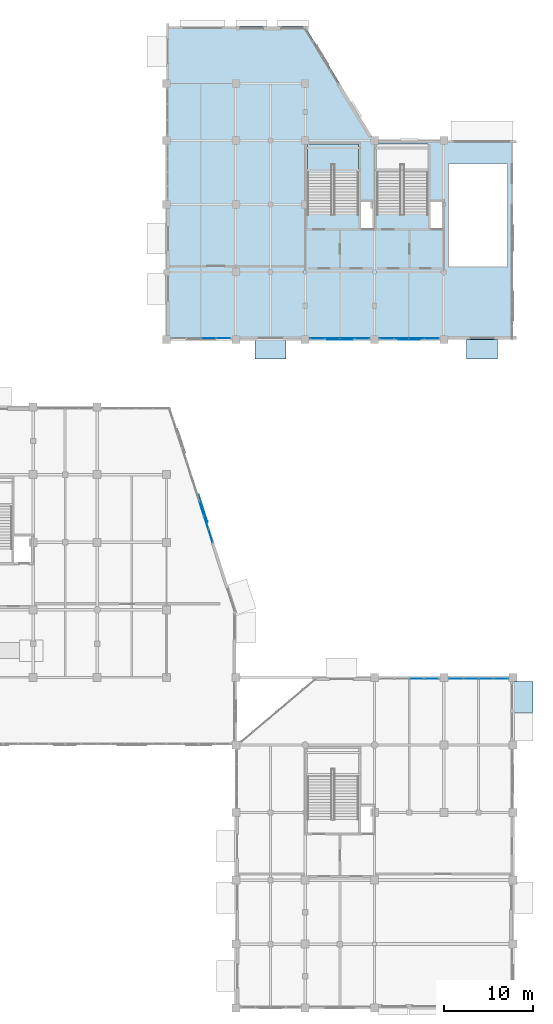
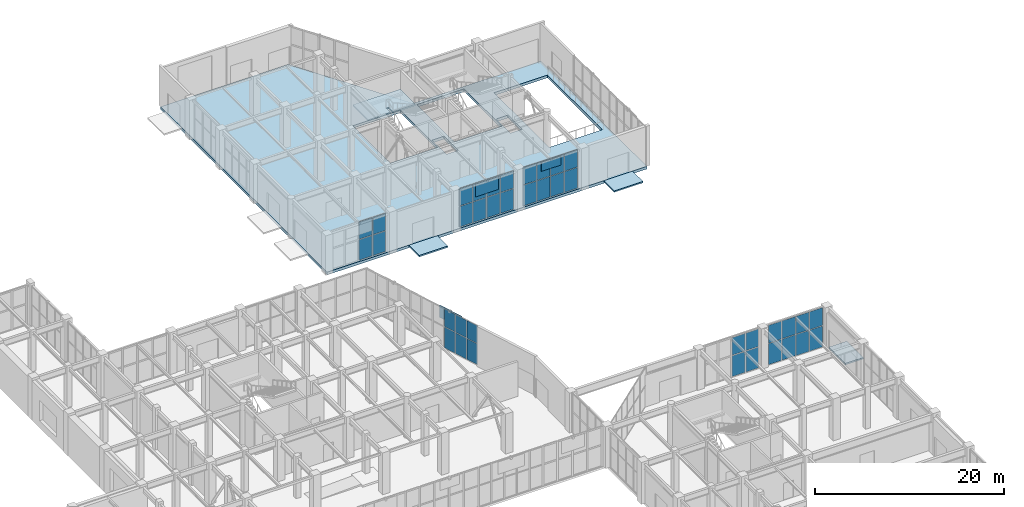
# One storey, part 112 of 139: 41 plates, 5 slabs, 7 elements without a shape of their own.
"""IFC4 building model written with IfcOpenShell, lengths in metres."""

from ifc_helpers import new_model, si_unit, direction, frame, origin, origin_2d, place, context, subcontext, project, spatial, polyline, rectangle, outline, extrude, material, layer, layer_set, type_object, element, aggregate, save


model = new_model("IFC4")

# Units and contexts
model_context = context("Model", 3, precision=1e-05, world=origin(), true_north=direction((0.0, 1.0)))
body_context = subcontext(model_context, "Body", "Model", "MODEL_VIEW")
ifc_project = project(units=[si_unit("LENGTHUNIT", "METRE"), si_unit("AREAUNIT", "SQUARE_METRE"), si_unit("VOLUMEUNIT", "CUBIC_METRE"), si_unit("PLANEANGLEUNIT", "RADIAN"), si_unit("MASSUNIT", "GRAM", prefix="KILO")], contexts=[model_context])

# Site, building, storey
site_placement = place(None, origin())
site = spatial("IfcSite", under=ifc_project, at=site_placement, CompositionType="ELEMENT")
building_placement = place(site_placement, origin())
building = spatial("IfcBuilding", under=site, at=building_placement, Name="Xicomal Pleat Aquarium", CompositionType="ELEMENT")
storey_placement = place(building_placement, origin())
storey = spatial("IfcBuildingStorey", under=building, at=storey_placement, Name="L01", CompositionType="ELEMENT", Elevation=0.0)

# Curtain wall, plates
ifc_material_1 = material(Name="Bronze anodized aluminium 6063-T6", Category="aluminium")
ifc_layer_1 = layer(ifc_material_1, 0.159912109375)
ifc_layer_set_1 = layer_set([ifc_layer_1], Name="Bronze anodized aluminium 6063-T6")
curtain_wall_type_1 = type_object("IfcCurtainWallType", Name="CW-SYS-11", PredefinedType="NOTDEFINED", material=ifc_layer_set_1)
curtain_wall_1_placement = place(storey_placement, origin())
curtain_wall_1 = element("IfcCurtainWall", 1, at=curtain_wall_1_placement, inside=storey, type_object=curtain_wall_type_1, Name="L01 unitised curtain wall CW-L01-056", PredefinedType="NOTDEFINED")
ifc_material_2 = material(Name="Insulated low-E laminated glass", Category="glass")
ifc_layer_2 = layer(ifc_material_2, 0.028076171875)
ifc_layer_set_2 = layer_set([ifc_layer_2], Name="Insulated low-E laminated glass")
plate_type_1 = type_object("IfcPlateType", Name="CWP-GLZ-28", PredefinedType="CURTAIN_PANEL", material=ifc_layer_set_2)
plate_1_placement = place(storey_placement, frame((154.14501953125, 37.860107421875, 0.0849609375), z_axis=(0.0, 0.0, 1.0), x_axis=(1.0, 0.0, 0.0)))
plate_1 = element("IfcPlate", 2, at=plate_1_placement, type_object=plate_type_1, Name="CW-11 panel 3.1", PredefinedType="CURTAIN_PANEL", context=body_context, shape_type="SweptSolid", body=[
    extrude(rectangle(XDim=1.60498046875, YDim=0.028076171875, at=origin_2d()), origin(), (0.0, 0.0, 1.0), 2.680419921875),
])
plate_2_placement = place(storey_placement, frame((154.14501953125, 37.860107421875, 2.8505859375), z_axis=(0.0, 0.0, 1.0), x_axis=(1.0, 0.0, 0.0)))
plate_2 = element("IfcPlate", 3, at=plate_2_placement, type_object=plate_type_1, Name="CW-11 panel 3.2", PredefinedType="CURTAIN_PANEL", context=body_context, shape_type="SweptSolid", body=[
    extrude(rectangle(XDim=1.60498046875, YDim=0.028076171875, at=origin_2d()), origin(), (0.0, 0.0, 1.0), 2.264404296875),
])
plate_3_placement = place(storey_placement, frame((155.813720703125, 37.860107421875, 0.0849609375), z_axis=(0.0, 0.0, 1.0), x_axis=(1.0, 0.0, 0.0)))
plate_3 = element("IfcPlate", 4, at=plate_3_placement, type_object=plate_type_1, Name="CW-11 panel 4.1", PredefinedType="CURTAIN_PANEL", context=body_context, shape_type="SweptSolid", body=[
    extrude(rectangle(XDim=1.5625, YDim=0.028076171875, at=origin_2d()), origin(), (0.0, 0.0, 1.0), 2.680419921875),
])
plate_4_placement = place(storey_placement, frame((155.813720703125, 37.860107421875, 2.8505859375), z_axis=(0.0, 0.0, 1.0), x_axis=(1.0, 0.0, 0.0)))
plate_4 = element("IfcPlate", 5, at=plate_4_placement, type_object=plate_type_1, Name="CW-11 panel 4.2", PredefinedType="CURTAIN_PANEL", context=body_context, shape_type="SweptSolid", body=[
    extrude(rectangle(XDim=1.5625, YDim=0.028076171875, at=origin_2d()), origin(), (0.0, 0.0, 1.0), 2.264404296875),
])
aggregate(curtain_wall_1, [plate_1, plate_2, plate_3, plate_4])

curtain_wall_2_placement = place(storey_placement, origin())
curtain_wall_2 = element("IfcCurtainWall", 6, at=curtain_wall_2_placement, inside=storey, type_object=curtain_wall_type_1, Name="L01 unitised curtain wall CW-L01-068", PredefinedType="NOTDEFINED")
plate_5_placement = place(storey_placement, frame((132.413818359375, 76.139892578125, 0.0849609375), z_axis=(0.0, 0.0, 1.0), x_axis=(-1.0, 0.0, 0.0)))
plate_5 = element("IfcPlate", 7, at=plate_5_placement, type_object=plate_type_1, Name="CW-11 panel 1.1", PredefinedType="CURTAIN_PANEL", context=body_context, shape_type="SweptSolid", body=[
    extrude(rectangle(XDim=1.5625, YDim=0.028076171875, at=origin_2d()), origin(), (0.0, 0.0, 1.0), 2.62646484375),
])
plate_6_placement = place(storey_placement, frame((132.413818359375, 76.139892578125, 2.79638671875), z_axis=(0.0, 0.0, 1.0), x_axis=(-1.0, 0.0, 0.0)))
plate_6 = element("IfcPlate", 8, at=plate_6_placement, type_object=plate_type_1, Name="CW-11 panel 1.2", PredefinedType="CURTAIN_PANEL", context=body_context, shape_type="SweptSolid", body=[
    extrude(rectangle(XDim=1.5625, YDim=0.028076171875, at=origin_2d()), origin(), (0.0, 0.0, 1.0), 2.218505859375),
])
plate_7_placement = place(storey_placement, frame((130.7451171875, 76.139892578125, 0.0849609375), z_axis=(0.0, 0.0, 1.0), x_axis=(-1.0, 0.0, 0.0)))
plate_7 = element("IfcPlate", 9, at=plate_7_placement, type_object=plate_type_1, Name="CW-11 panel 2.1", PredefinedType="CURTAIN_PANEL", context=body_context, shape_type="SweptSolid", body=[
    extrude(rectangle(XDim=1.60498046875, YDim=0.028076171875, at=origin_2d()), origin(), (0.0, 0.0, 1.0), 2.62646484375),
])
plate_8_placement = place(storey_placement, frame((130.7451171875, 76.139892578125, 2.79638671875), z_axis=(0.0, 0.0, 1.0), x_axis=(-1.0, 0.0, 0.0)))
plate_8 = element("IfcPlate", 10, at=plate_8_placement, type_object=plate_type_1, Name="CW-11 panel 2.2", PredefinedType="CURTAIN_PANEL", context=body_context, shape_type="SweptSolid", body=[
    extrude(rectangle(XDim=1.60498046875, YDim=0.028076171875, at=origin_2d()), origin(), (0.0, 0.0, 1.0), 2.218505859375),
])
aggregate(curtain_wall_2, [plate_5, plate_6, plate_7, plate_8])

ifc_material_3 = material(Name="Bronze anodized aluminium 6063-T6", Category="aluminium")
ifc_layer_3 = layer(ifc_material_3, 0.159912109375)
ifc_layer_set_3 = layer_set([ifc_layer_3], Name="Bronze anodized aluminium 6063-T6")
curtain_wall_type_2 = type_object("IfcCurtainWallType", Name="CW-SYS-01", PredefinedType="NOTDEFINED", material=ifc_layer_set_3)
curtain_wall_3_placement = place(storey_placement, origin())
curtain_wall_3 = element("IfcCurtainWall", 11, at=curtain_wall_3_placement, inside=storey, type_object=curtain_wall_type_2, Name="L01 unitised curtain wall CW-L01-045", PredefinedType="NOTDEFINED")
ifc_material_4 = material(Name="Insulated low-E laminated glass", Category="glass")
ifc_layer_4 = layer(ifc_material_4, 0.031982421875)
ifc_layer_set_4 = layer_set([ifc_layer_4], Name="Insulated low-E laminated glass")
plate_type_2 = type_object("IfcPlateType", Name="CWP-GLZ-32", PredefinedType="CURTAIN_PANEL", material=ifc_layer_set_4)
plate_9_placement = place(storey_placement, frame((129.967041015625, 56.95703125, 0.06494140625), z_axis=(0.0, 0.0, 1.0), x_axis=(0.308633242147, -0.951181119368, 0.0)))
plate_9 = element("IfcPlate", 12, at=plate_9_placement, type_object=plate_type_2, Name="CW-01 panel 3.1", PredefinedType="CURTAIN_PANEL", context=body_context, shape_type="SweptSolid", body=[
    extrude(rectangle(XDim=1.532958984375, YDim=0.031982421875, at=origin_2d()), origin(), (0.0, 0.0, 1.0), 2.6884765625),
])
plate_10_placement = place(storey_placement, frame((129.967041015625, 56.95703125, 2.818359375), z_axis=(0.0, 0.0, 1.0), x_axis=(0.308633242147, -0.951181119368, 0.0)))
plate_10 = element("IfcPlate", 13, at=plate_10_placement, type_object=plate_type_2, Name="CW-01 panel 3.2", PredefinedType="CURTAIN_PANEL", context=body_context, shape_type="SweptSolid", body=[
    extrude(rectangle(XDim=1.532958984375, YDim=0.031982421875, at=origin_2d()), origin(), (0.0, 0.0, 1.0), 2.276611328125),
])
plate_11_placement = place(storey_placement, frame((130.460205078125, 55.43701171875, 0.06494140625), z_axis=(0.0, 0.0, 1.0), x_axis=(0.308633242147, -0.951181119368, 0.0)))
plate_11 = element("IfcPlate", 14, at=plate_11_placement, type_object=plate_type_2, Name="CW-01 panel 4.1", PredefinedType="CURTAIN_PANEL", context=body_context, shape_type="SweptSolid", body=[
    extrude(rectangle(XDim=1.532958984375, YDim=0.031982421875, at=origin_2d()), origin(), (0.0, 0.0, 1.0), 2.6884765625),
])
plate_12_placement = place(storey_placement, frame((130.460205078125, 55.43701171875, 2.818359375), z_axis=(0.0, 0.0, 1.0), x_axis=(0.308633242147, -0.951181119368, 0.0)))
plate_12 = element("IfcPlate", 15, at=plate_12_placement, type_object=plate_type_2, Name="CW-01 panel 4.2", PredefinedType="CURTAIN_PANEL", context=body_context, shape_type="SweptSolid", body=[
    extrude(rectangle(XDim=1.532958984375, YDim=0.031982421875, at=origin_2d()), origin(), (0.0, 0.0, 1.0), 2.276611328125),
])
plate_13_placement = place(storey_placement, frame((130.948486328125, 53.9326171875, 0.06494140625), z_axis=(0.0, 0.0, 1.0), x_axis=(0.308633242147, -0.951181119368, 0.0)))
plate_13 = element("IfcPlate", 16, at=plate_13_placement, type_object=plate_type_2, Name="CW-01 panel 5.1", PredefinedType="CURTAIN_PANEL", context=body_context, shape_type="SweptSolid", body=[
    extrude(rectangle(XDim=1.50048828125, YDim=0.031982421875, at=origin_2d()), origin(), (0.0, 0.0, 1.0), 2.6884765625),
])
plate_14_placement = place(storey_placement, frame((130.948486328125, 53.9326171875, 2.818359375), z_axis=(0.0, 0.0, 1.0), x_axis=(0.308633242147, -0.951181119368, 0.0)))
plate_14 = element("IfcPlate", 17, at=plate_14_placement, type_object=plate_type_2, Name="CW-01 panel 5.2", PredefinedType="CURTAIN_PANEL", context=body_context, shape_type="SweptSolid", body=[
    extrude(rectangle(XDim=1.50048828125, YDim=0.031982421875, at=origin_2d()), origin(), (0.0, 0.0, 1.0), 2.276611328125),
])
aggregate(curtain_wall_3, [plate_9, plate_10, plate_11, plate_12, plate_13, plate_14])

curtain_wall_4_placement = place(storey_placement, origin())
curtain_wall_4 = element("IfcCurtainWall", 18, at=curtain_wall_4_placement, inside=storey, type_object=curtain_wall_type_2, Name="L01 unitised curtain wall CW-L01-057", PredefinedType="NOTDEFINED")
plate_15_placement = place(storey_placement, frame((158.581298828125, 37.860107421875, 0.06494140625), z_axis=(0.0, 0.0, 1.0), x_axis=(1.0, 0.0, 0.0)))
plate_15 = element("IfcPlate", 19, at=plate_15_placement, type_object=plate_type_2, Name="CW-01 panel 1.1", PredefinedType="CURTAIN_PANEL", context=body_context, shape_type="SweptSolid", body=[
    extrude(rectangle(XDim=1.592529296875, YDim=0.031982421875, at=origin_2d()), origin(), (0.0, 0.0, 1.0), 2.71044921875),
])
plate_16_placement = place(storey_placement, frame((158.581298828125, 37.860107421875, 2.840576171875), z_axis=(0.0, 0.0, 1.0), x_axis=(1.0, 0.0, 0.0)))
plate_16 = element("IfcPlate", 20, at=plate_16_placement, type_object=plate_type_2, Name="CW-01 panel 1.2", PredefinedType="CURTAIN_PANEL", context=body_context, shape_type="SweptSolid", body=[
    extrude(rectangle(XDim=1.592529296875, YDim=0.031982421875, at=origin_2d()), origin(), (0.0, 0.0, 1.0), 2.29443359375),
])
plate_17_placement = place(storey_placement, frame((160.2548828125, 37.860107421875, 0.06494140625), z_axis=(0.0, 0.0, 1.0), x_axis=(1.0, 0.0, 0.0)))
plate_17 = element("IfcPlate", 21, at=plate_17_placement, type_object=plate_type_2, Name="CW-01 panel 2.1", PredefinedType="CURTAIN_PANEL", context=body_context, shape_type="SweptSolid", body=[
    extrude(rectangle(XDim=1.625, YDim=0.031982421875, at=origin_2d()), origin(), (0.0, 0.0, 1.0), 2.71044921875),
])
plate_18_placement = place(storey_placement, frame((160.2548828125, 37.860107421875, 2.840576171875), z_axis=(0.0, 0.0, 1.0), x_axis=(1.0, 0.0, 0.0)))
plate_18 = element("IfcPlate", 22, at=plate_18_placement, type_object=plate_type_2, Name="CW-01 panel 2.2", PredefinedType="CURTAIN_PANEL", context=body_context, shape_type="SweptSolid", body=[
    extrude(rectangle(XDim=1.625, YDim=0.031982421875, at=origin_2d()), origin(), (0.0, 0.0, 1.0), 2.29443359375),
])
plate_19_placement = place(storey_placement, frame((161.945068359375, 37.860107421875, 0.06494140625), z_axis=(0.0, 0.0, 1.0), x_axis=(1.0, 0.0, 0.0)))
plate_19 = element("IfcPlate", 23, at=plate_19_placement, type_object=plate_type_2, Name="CW-01 panel 3.1", PredefinedType="CURTAIN_PANEL", context=body_context, shape_type="SweptSolid", body=[
    extrude(rectangle(XDim=1.625, YDim=0.031982421875, at=origin_2d()), origin(), (0.0, 0.0, 1.0), 2.71044921875),
])
plate_20_placement = place(storey_placement, frame((161.945068359375, 37.860107421875, 2.840576171875), z_axis=(0.0, 0.0, 1.0), x_axis=(1.0, 0.0, 0.0)))
plate_20 = element("IfcPlate", 24, at=plate_20_placement, type_object=plate_type_2, Name="CW-01 panel 3.2", PredefinedType="CURTAIN_PANEL", context=body_context, shape_type="SweptSolid", body=[
    extrude(rectangle(XDim=1.625, YDim=0.031982421875, at=origin_2d()), origin(), (0.0, 0.0, 1.0), 2.29443359375),
])
plate_21_placement = place(storey_placement, frame((163.61865234375, 37.860107421875, 0.06494140625), z_axis=(0.0, 0.0, 1.0), x_axis=(1.0, 0.0, 0.0)))
plate_21 = element("IfcPlate", 25, at=plate_21_placement, type_object=plate_type_2, Name="CW-01 panel 4.1", PredefinedType="CURTAIN_PANEL", context=body_context, shape_type="SweptSolid", body=[
    extrude(rectangle(XDim=1.592529296875, YDim=0.031982421875, at=origin_2d()), origin(), (0.0, 0.0, 1.0), 2.71044921875),
])
plate_22_placement = place(storey_placement, frame((163.61865234375, 37.860107421875, 2.840576171875), z_axis=(0.0, 0.0, 1.0), x_axis=(1.0, 0.0, 0.0)))
plate_22 = element("IfcPlate", 26, at=plate_22_placement, type_object=plate_type_2, Name="CW-01 panel 4.2", PredefinedType="CURTAIN_PANEL", context=body_context, shape_type="SweptSolid", body=[
    extrude(rectangle(XDim=1.592529296875, YDim=0.031982421875, at=origin_2d()), origin(), (0.0, 0.0, 1.0), 2.29443359375),
])
aggregate(curtain_wall_4, [plate_15, plate_16, plate_17, plate_18, plate_19, plate_20, plate_21, plate_22])

curtain_wall_5_placement = place(storey_placement, origin())
curtain_wall_5 = element("IfcCurtainWall", 27, at=curtain_wall_5_placement, inside=storey, type_object=curtain_wall_type_2, Name="L01 unitised curtain wall CW-L01-066", PredefinedType="NOTDEFINED")
ifc_material_5 = material(Name="Insulated low-E laminated glass", Category="glass")
ifc_layer_5 = layer(ifc_material_5, 0.035888671875)
ifc_layer_set_5 = layer_set([ifc_layer_5], Name="Insulated low-E laminated glass")
plate_type_3 = type_object("IfcPlateType", Name="CWP-GLZ-36", PredefinedType="CURTAIN_PANEL", material=ifc_layer_set_5)
plate_23_placement = place(storey_placement, frame((155.818603515625, 76.139892578125, 0.06494140625), z_axis=(0.0, 0.0, 1.0), x_axis=(-1.0, 0.0, 0.0)))
plate_23 = element("IfcPlate", 28, at=plate_23_placement, type_object=plate_type_3, Name="CW-01 panel 1.1", PredefinedType="CURTAIN_PANEL", context=body_context, shape_type="SweptSolid", body=[
    extrude(rectangle(XDim=1.592529296875, YDim=0.035888671875, at=origin_2d()), origin(), (0.0, 0.0, 1.0), 2.656494140625),
])
plate_24_placement = place(storey_placement, frame((155.818603515625, 76.139892578125, 2.78662109375), z_axis=(0.0, 0.0, 1.0), x_axis=(-1.0, 0.0, 0.0)))
plate_24 = element("IfcPlate", 29, at=plate_24_placement, type_object=plate_type_3, Name="CW-01 panel 1.2", PredefinedType="CURTAIN_PANEL", context=body_context, shape_type="SweptSolid", body=[
    extrude(rectangle(XDim=1.592529296875, YDim=0.035888671875, at=origin_2d()), origin(), (0.0, 0.0, 1.0), 2.24853515625),
])
plate_25_placement = place(storey_placement, frame((154.14501953125, 76.139892578125, 0.06494140625), z_axis=(0.0, 0.0, 1.0), x_axis=(-1.0, 0.0, 0.0)))
plate_25 = element("IfcPlate", 30, at=plate_25_placement, type_object=plate_type_3, Name="CW-01 panel 2.1", PredefinedType="CURTAIN_PANEL", context=body_context, shape_type="SweptSolid", body=[
    extrude(rectangle(XDim=1.625, YDim=0.035888671875, at=origin_2d()), origin(), (0.0, 0.0, 1.0), 2.656494140625),
])
plate_26_placement = place(storey_placement, frame((154.14501953125, 76.139892578125, 2.78662109375), z_axis=(0.0, 0.0, 1.0), x_axis=(-1.0, 0.0, 0.0)))
plate_26 = element("IfcPlate", 31, at=plate_26_placement, type_object=plate_type_3, Name="CW-01 panel 2.2", PredefinedType="CURTAIN_PANEL", context=body_context, shape_type="SweptSolid", body=[
    extrude(rectangle(XDim=1.625, YDim=0.035888671875, at=origin_2d()), origin(), (0.0, 0.0, 1.0), 2.24853515625),
])
plate_27_placement = place(storey_placement, frame((152.455078125, 76.139892578125, 0.06494140625), z_axis=(0.0, 0.0, 1.0), x_axis=(-1.0, 0.0, 0.0)))
plate_27 = element("IfcPlate", 32, at=plate_27_placement, type_object=plate_type_3, Name="CW-01 panel 3.1", PredefinedType="CURTAIN_PANEL", context=body_context, shape_type="SweptSolid", body=[
    extrude(rectangle(XDim=1.625, YDim=0.035888671875, at=origin_2d()), origin(), (0.0, 0.0, 1.0), 2.656494140625),
])
plate_28_placement = place(storey_placement, frame((152.455078125, 76.139892578125, 2.78662109375), z_axis=(0.0, 0.0, 1.0), x_axis=(-1.0, 0.0, 0.0)))
plate_28 = element("IfcPlate", 33, at=plate_28_placement, type_object=plate_type_3, Name="CW-01 panel 3.2", PredefinedType="CURTAIN_PANEL", context=body_context, shape_type="SweptSolid", body=[
    extrude(rectangle(XDim=1.625, YDim=0.035888671875, at=origin_2d()), origin(), (0.0, 0.0, 1.0), 2.24853515625),
])
plate_29_placement = place(storey_placement, frame((150.78125, 76.139892578125, 0.06494140625), z_axis=(0.0, 0.0, 1.0), x_axis=(-1.0, 0.0, 0.0)))
plate_29 = element("IfcPlate", 34, at=plate_29_placement, type_object=plate_type_3, Name="CW-01 panel 4.1", PredefinedType="CURTAIN_PANEL", context=body_context, shape_type="SweptSolid", body=[
    extrude(rectangle(XDim=1.592529296875, YDim=0.035888671875, at=origin_2d()), origin(), (0.0, 0.0, 1.0), 2.656494140625),
])
plate_30_placement = place(storey_placement, frame((150.78125, 76.139892578125, 2.78662109375), z_axis=(0.0, 0.0, 1.0), x_axis=(-1.0, 0.0, 0.0)))
plate_30 = element("IfcPlate", 35, at=plate_30_placement, type_object=plate_type_3, Name="CW-01 panel 4.2", PredefinedType="CURTAIN_PANEL", context=body_context, shape_type="SweptSolid", body=[
    extrude(rectangle(XDim=1.592529296875, YDim=0.035888671875, at=origin_2d()), origin(), (0.0, 0.0, 1.0), 2.24853515625),
])
aggregate(curtain_wall_5, [plate_23, plate_24, plate_25, plate_26, plate_27, plate_28, plate_29, plate_30])

ifc_material_6 = material(Name="Bronze anodized aluminium 6063-T6", Category="aluminium")
ifc_layer_6 = layer(ifc_material_6, 0.159912109375)
ifc_layer_set_6 = layer_set([ifc_layer_6], Name="Bronze anodized aluminium 6063-T6")
curtain_wall_type_3 = type_object("IfcCurtainWallType", Name="CW-SYS-06", PredefinedType="NOTDEFINED", material=ifc_layer_set_6)
curtain_wall_6_placement = place(storey_placement, origin())
curtain_wall_6 = element("IfcCurtainWall", 36, at=curtain_wall_6_placement, inside=storey, type_object=curtain_wall_type_3, Name="L01 unitised curtain wall CW-L01-067", PredefinedType="NOTDEFINED")
ifc_material_7 = material(Name="Insulated low-E laminated glass", Category="glass")
ifc_layer_7 = layer(ifc_material_7, 0.0419921875)
ifc_layer_set_7 = layer_set([ifc_layer_7], Name="Insulated low-E laminated glass")
plate_type_4 = type_object("IfcPlateType", Name="CWP-GLZ-42", PredefinedType="CURTAIN_PANEL", material=ifc_layer_set_7)
plate_31_placement = place(storey_placement, frame((148.01611328125, 76.139892578125, 0.074951171875), z_axis=(0.0, 0.0, 1.0), x_axis=(-1.0, 0.0, 0.0)))
plate_31 = element("IfcPlate", 37, at=plate_31_placement, type_object=plate_type_4, Name="CW-06 panel 1.1", PredefinedType="CURTAIN_PANEL", context=body_context, shape_type="SweptSolid", body=[
    extrude(rectangle(XDim=1.577392578125, YDim=0.0419921875, at=origin_2d()), origin(), (0.0, 0.0, 1.0), 2.6416015625),
])
plate_32_placement = place(storey_placement, frame((148.01611328125, 76.139892578125, 2.79150390625), z_axis=(0.0, 0.0, 1.0), x_axis=(-1.0, 0.0, 0.0)))
plate_32 = element("IfcPlate", 38, at=plate_32_placement, type_object=plate_type_4, Name="CW-06 panel 1.2", PredefinedType="CURTAIN_PANEL", context=body_context, shape_type="SweptSolid", body=[
    extrude(rectangle(XDim=1.577392578125, YDim=0.0419921875, at=origin_2d()), origin(), (0.0, 0.0, 1.0), 2.2333984375),
])
plate_33_placement = place(storey_placement, frame((146.344970703125, 76.139892578125, 0.074951171875), z_axis=(0.0, 0.0, 1.0), x_axis=(-1.0, 0.0, 0.0)))
plate_33 = element("IfcPlate", 39, at=plate_33_placement, type_object=plate_type_4, Name="CW-06 panel 2.1", PredefinedType="CURTAIN_PANEL", context=body_context, shape_type="SweptSolid", body=[
    extrude(rectangle(XDim=1.614990234375, YDim=0.0419921875, at=origin_2d()), origin(), (0.0, 0.0, 1.0), 2.6416015625),
])
plate_34_placement = place(storey_placement, frame((146.344970703125, 76.139892578125, 2.79150390625), z_axis=(0.0, 0.0, 1.0), x_axis=(-1.0, 0.0, 0.0)))
plate_34 = element("IfcPlate", 40, at=plate_34_placement, type_object=plate_type_4, Name="CW-06 panel 2.2", PredefinedType="CURTAIN_PANEL", context=body_context, shape_type="SweptSolid", body=[
    extrude(rectangle(XDim=1.614990234375, YDim=0.0419921875, at=origin_2d()), origin(), (0.0, 0.0, 1.0), 2.2333984375),
])
plate_35_placement = place(storey_placement, frame((144.655029296875, 76.139892578125, 0.074951171875), z_axis=(0.0, 0.0, 1.0), x_axis=(-1.0, 0.0, 0.0)))
plate_35 = element("IfcPlate", 41, at=plate_35_placement, type_object=plate_type_4, Name="CW-06 panel 3.1", PredefinedType="CURTAIN_PANEL", context=body_context, shape_type="SweptSolid", body=[
    extrude(rectangle(XDim=1.614990234375, YDim=0.0419921875, at=origin_2d()), origin(), (0.0, 0.0, 1.0), 2.6416015625),
])
plate_36_placement = place(storey_placement, frame((144.655029296875, 76.139892578125, 2.79150390625), z_axis=(0.0, 0.0, 1.0), x_axis=(-1.0, 0.0, 0.0)))
plate_36 = element("IfcPlate", 42, at=plate_36_placement, type_object=plate_type_4, Name="CW-06 panel 3.2", PredefinedType="CURTAIN_PANEL", context=body_context, shape_type="SweptSolid", body=[
    extrude(rectangle(XDim=1.614990234375, YDim=0.0419921875, at=origin_2d()), origin(), (0.0, 0.0, 1.0), 2.2333984375),
])
plate_37_placement = place(storey_placement, frame((142.98388671875, 76.139892578125, 0.074951171875), z_axis=(0.0, 0.0, 1.0), x_axis=(-1.0, 0.0, 0.0)))
plate_37 = element("IfcPlate", 43, at=plate_37_placement, type_object=plate_type_4, Name="CW-06 panel 4.1", PredefinedType="CURTAIN_PANEL", context=body_context, shape_type="SweptSolid", body=[
    extrude(rectangle(XDim=1.577392578125, YDim=0.0419921875, at=origin_2d()), origin(), (0.0, 0.0, 1.0), 2.6416015625),
])
plate_38_placement = place(storey_placement, frame((142.98388671875, 76.139892578125, 2.79150390625), z_axis=(0.0, 0.0, 1.0), x_axis=(-1.0, 0.0, 0.0)))
plate_38 = element("IfcPlate", 44, at=plate_38_placement, type_object=plate_type_4, Name="CW-06 panel 4.2", PredefinedType="CURTAIN_PANEL", context=body_context, shape_type="SweptSolid", body=[
    extrude(rectangle(XDim=1.577392578125, YDim=0.0419921875, at=origin_2d()), origin(), (0.0, 0.0, 1.0), 2.2333984375),
])
aggregate(curtain_wall_6, [plate_31, plate_32, plate_33, plate_34, plate_35, plate_36, plate_37, plate_38])

# Plates
ifc_material_8 = material(Name="Perforated bronze anodized aluminium", Category="aluminium")
ifc_layer_8 = layer(ifc_material_8, 0.01611328125)
ifc_layer_set_8 = layer_set([ifc_layer_8], Name="Perforated bronze anodized aluminium")
plate_type_5 = type_object("IfcPlateType", Name="PLT-SUN-16", PredefinedType="USERDEFINED", material=ifc_layer_set_8)
plate_39_placement = place(storey_placement, frame((153.300048828125, 75.97998046875, 3.85986328125), z_axis=(0.0, 0.0, 1.0), x_axis=(-1.0, 0.0, 0.0)))
element("IfcPlate", 45, at=plate_39_placement, inside=storey, type_object=plate_type_5, Name="L01 perforated solar sunshade 36", ObjectType="SUNSHADE PANEL", PredefinedType="USERDEFINED", context=body_context, shape_type="SweptSolid", body=[
    extrude(rectangle(XDim=2.39990234375, YDim=0.01611328125, at=origin_2d()), origin(), (0.0, 0.0, 1.0), 1.199951171875),
])
ifc_material_9 = material(Name="Perforated bronze anodized aluminium", Category="aluminium")
ifc_layer_9 = layer(ifc_material_9, 0.02001953125)
ifc_layer_set_9 = layer_set([ifc_layer_9], Name="Perforated bronze anodized aluminium")
plate_type_6 = type_object("IfcPlateType", Name="PLT-SUN-20", PredefinedType="USERDEFINED", material=ifc_layer_set_9)
plate_40_placement = place(storey_placement, frame((145.5, 75.97998046875, 3.3798828125), z_axis=(0.0, 0.0, 1.0), x_axis=(-1.0, 0.0, 0.0)))
element("IfcPlate", 46, at=plate_40_placement, inside=storey, type_object=plate_type_6, Name="L01 perforated solar sunshade 37", ObjectType="SUNSHADE PANEL", PredefinedType="USERDEFINED", context=body_context, shape_type="SweptSolid", body=[
    extrude(rectangle(XDim=2.800048828125, YDim=0.02001953125, at=origin_2d()), origin(), (0.0, 0.0, 1.0), 1.679931640625),
])
ifc_material_10 = material(Name="Perforated bronze anodized aluminium", Category="aluminium")
ifc_layer_10 = layer(ifc_material_10, 0.02392578125)
ifc_layer_set_10 = layer_set([ifc_layer_10], Name="Perforated bronze anodized aluminium")
plate_type_7 = type_object("IfcPlateType", Name="PLT-SUN-24", PredefinedType="USERDEFINED", material=ifc_layer_set_10)
plate_41_placement = place(storey_placement, frame((130.118896484375, 57.006103515625, 3.52001953125), z_axis=(0.0, 0.0, 1.0), x_axis=(0.308684994204, -0.951164325631, 0.0)))
element("IfcPlate", 47, at=plate_41_placement, inside=storey, type_object=plate_type_7, Name="L01 perforated solar sunshade 20", ObjectType="SUNSHADE PANEL", PredefinedType="USERDEFINED", context=body_context, shape_type="SweptSolid", body=[
    extrude(rectangle(XDim=3.199951171875, YDim=0.02392578125, at=origin_2d()), origin(), (0.0, 0.0, 1.0), 1.60009765625),
])

# Slab
ifc_material_11 = material(Name="Concrete C40/50", Category="concrete")
ifc_layer_11 = layer(ifc_material_11, 0.35009765625)
ifc_layer_set_11 = layer_set([ifc_layer_11], Name="Concrete C40/50")
slab_type_1 = type_object("IfcSlabType", Name="SLB-FLR-350", PredefinedType="FLOOR", material=ifc_layer_set_11)
slab_1_placement = place(storey_placement, frame((0.0, 0.0, -0.35009765625)))
element("IfcSlab", 48, at=slab_1_placement, inside=storey, type_object=slab_type_1, Name="L01 structural slab V7", PredefinedType="FLOOR", context=body_context, shape_type="SweptSolid", body=[
    extrude(outline(polyline([(126.0, 111.199951171875), (141.60009765625, 111.199951171875), (149.39990234375, 98.39990234375), (165.0, 98.39990234375), (165.0, 76.0), (126.0, 76.0), (126.0, 111.199951171875)]), holes=[polyline([(157.800048828125, 84.199951171875), (164.300048828125, 84.199951171875), (164.300048828125, 95.800048828125), (157.800048828125, 95.800048828125), (157.800048828125, 84.199951171875)]), polyline([(141.840087890625, 90.080078125), (147.6201171875, 90.080078125), (147.6201171875, 98.0), (141.840087890625, 98.0), (141.840087890625, 90.080078125)]), polyline([(147.760009765625, 88.5), (149.199951171875, 88.5), (149.199951171875, 91.5), (147.760009765625, 91.5), (147.760009765625, 88.5)]), polyline([(149.639892578125, 90.080078125), (155.419921875, 90.080078125), (155.419921875, 98.0), (149.639892578125, 98.0), (149.639892578125, 90.080078125)]), polyline([(155.56005859375, 88.5), (157.0, 88.5), (157.0, 91.5), (155.56005859375, 91.5), (155.56005859375, 88.5)])]), origin(), (0.0, 0.0, 1.0), 0.35009765625),
])

# Stair, slab
ifc_material_12 = material(Name="Concrete C35/45", Category="concrete")
stair_type = type_object("IfcStairType", Name="STR-HT-5400-2400", PredefinedType="HALF_TURN_STAIR", material=ifc_material_12)
stair_placement = place(storey_placement, origin())
stair = element("IfcStair", 49, at=stair_placement, inside=storey, type_object=stair_type, Name="ST-05 fire exit stair L01 to L02", PredefinedType="HALF_TURN_STAIR")
ifc_material_13 = material(Name="Concrete C35/45", Category="concrete")
ifc_layer_12 = layer(ifc_material_13, 0.195068359375)
ifc_layer_set_12 = layer_set([ifc_layer_12], Name="Concrete C35/45")
slab_type_2 = type_object("IfcSlabType", Name="SLB-LND-195", PredefinedType="LANDING", material=ifc_layer_set_12)
slab_2_placement = place(storey_placement, frame((0.0, 0.0, 2.5048828125)))
slab_2 = element("IfcSlab", 50, at=slab_2_placement, type_object=slab_type_2, Name="ST-05 landing 1", PredefinedType="LANDING", context=body_context, shape_type="SweptSolid", body=[
    extrude(outline(polyline([(141.840087890625, 98.0), (147.6201171875, 98.0), (147.6201171875, 94.7900390625), (144.8798828125, 94.7900390625), (144.8798828125, 95.699951171875), (144.580078125, 95.699951171875), (144.580078125, 94.7900390625), (141.840087890625, 94.7900390625), (141.840087890625, 98.0)])), origin(), (0.0, 0.0, 1.0), 0.195068359375),
])
aggregate(stair, [slab_2])

# Slabs
ifc_material_14 = material(Name="Concrete C40/50", Category="concrete")
ifc_layer_13 = layer(ifc_material_14, 0.18505859375)
ifc_layer_set_13 = layer_set([ifc_layer_13], Name="Concrete C40/50")
slab_type_3 = type_object("IfcSlabType", Name="SLB-TER-185", PredefinedType="FLOOR", material=ifc_layer_set_13)
slab_3_placement = place(storey_placement, frame((0.0, 0.0, -0.18505859375)))
element("IfcSlab", 51, at=slab_3_placement, inside=storey, type_object=slab_type_3, Name="Exterior grade entrance apron SL-APR-EX-14", PredefinedType="FLOOR", context=body_context, shape_type="SweptSolid", body=[
    extrude(outline(polyline([(167.199951171875, 37.56494140625), (167.199951171875, 34.06494140625), (165.0, 34.06494140625), (165.0, 37.56494140625), (167.199951171875, 37.56494140625)])), origin(), (0.0, 0.0, 1.0), 0.18505859375),
])
slab_4_placement = place(storey_placement, frame((0.0, 0.0, -0.18505859375)))
element("IfcSlab", 52, at=slab_4_placement, inside=storey, type_object=slab_type_3, Name="Exterior grade entrance apron SL-APR-EX-18", PredefinedType="FLOOR", context=body_context, shape_type="SweptSolid", body=[
    extrude(outline(polyline([(163.2470703125, 73.800048828125), (159.7470703125, 73.800048828125), (159.7470703125, 76.0), (163.2470703125, 76.0), (163.2470703125, 73.800048828125)])), origin(), (0.0, 0.0, 1.0), 0.18505859375),
])
slab_5_placement = place(storey_placement, frame((0.0, 0.0, -0.18505859375)))
element("IfcSlab", 53, at=slab_5_placement, inside=storey, type_object=slab_type_3, Name="Exterior grade entrance apron SL-APR-EX-24", PredefinedType="FLOOR", context=body_context, shape_type="SweptSolid", body=[
    extrude(outline(polyline([(139.449951171875, 73.800048828125), (135.949951171875, 73.800048828125), (135.949951171875, 76.0), (139.449951171875, 76.0), (139.449951171875, 73.800048828125)])), origin(), (0.0, 0.0, 1.0), 0.18505859375),
])

save(model, "model.ifc")
